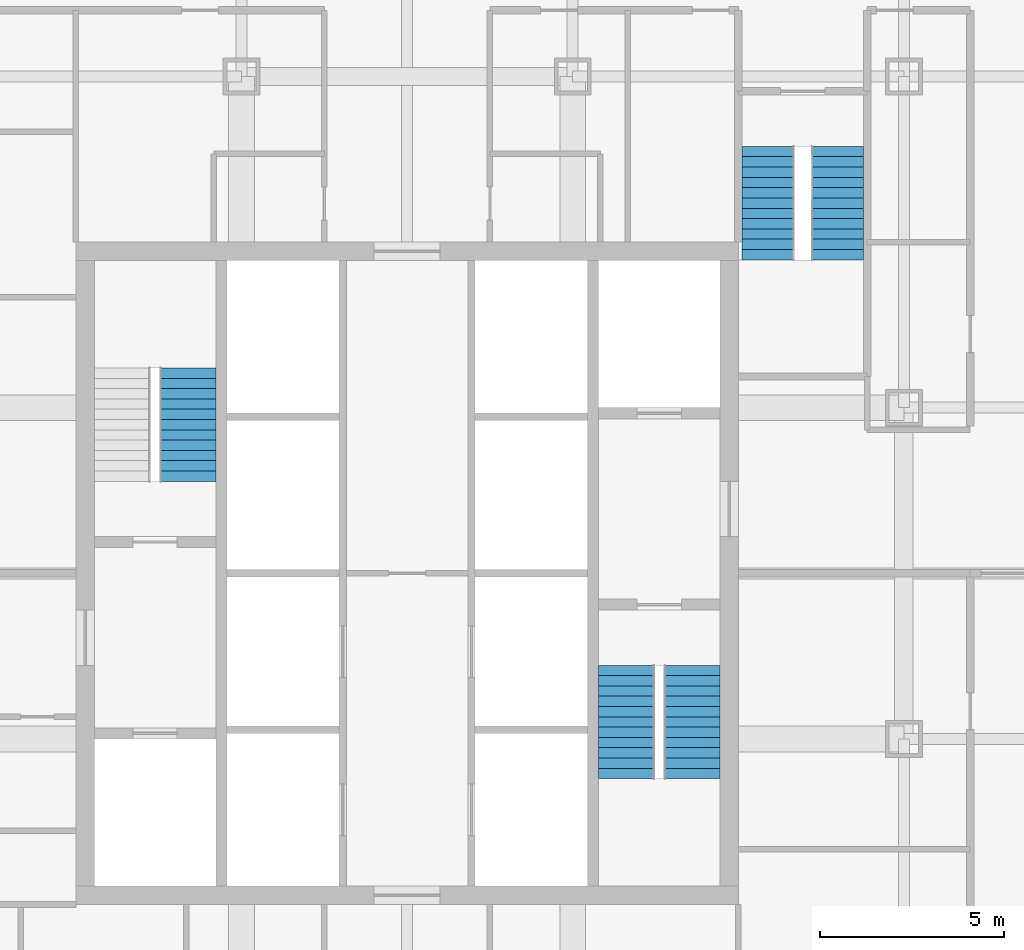
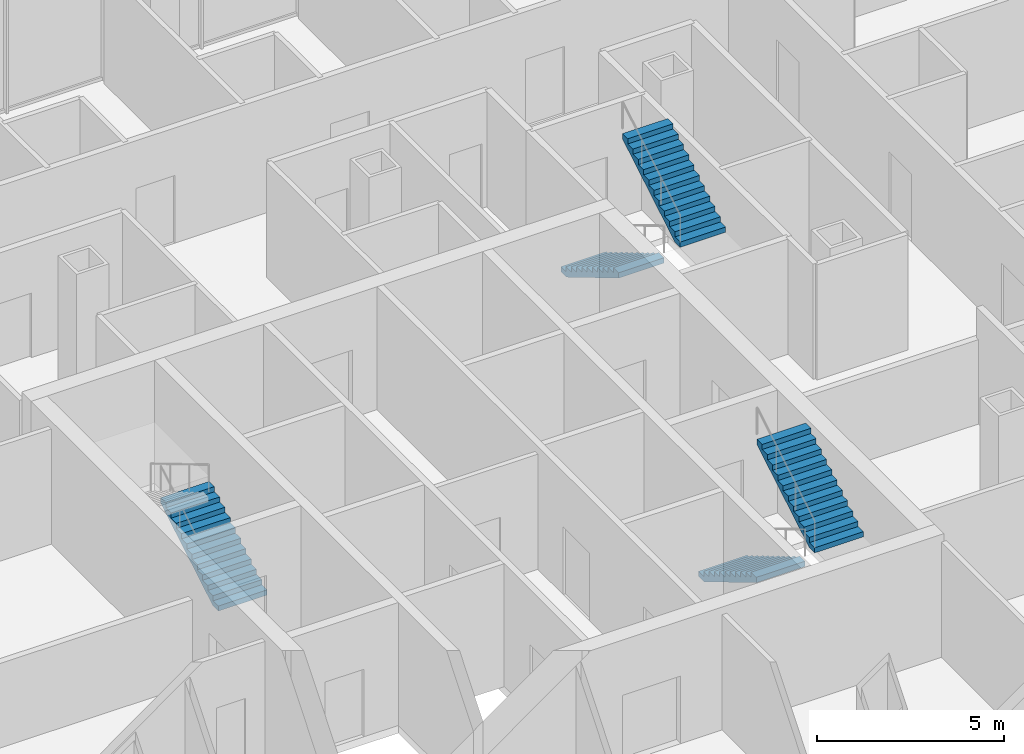
# One storey, part 12 of 14: 5 stair flights, 3 elements without a shape of their own.
"""IFC4 building model written with IfcOpenShell, lengths in metres."""

from ifc_helpers import new_model, si_unit, direction, frame, origin, place, context, subcontext, project, spatial, polyline, outline, extrude, material, type_object, element, aggregate, save


model = new_model("IFC4")

# Units and contexts
model_context = context("Model", 3, precision=1e-05, world=origin(), true_north=direction((0.0, 1.0)))
body_context = subcontext(model_context, "Body", "Model", "MODEL_VIEW")
ifc_project = project(units=[si_unit("LENGTHUNIT", "METRE"), si_unit("AREAUNIT", "SQUARE_METRE"), si_unit("VOLUMEUNIT", "CUBIC_METRE"), si_unit("PLANEANGLEUNIT", "RADIAN"), si_unit("MASSUNIT", "GRAM", prefix="KILO")], contexts=[model_context])

# Site, building, storey
site_placement = place(None, origin())
site = spatial("IfcSite", under=ifc_project, at=site_placement, CompositionType="ELEMENT")
building_placement = place(site_placement, origin())
building = spatial("IfcBuilding", under=site, at=building_placement, Name="Malebo Sky Hospital", CompositionType="ELEMENT")
storey_placement = place(building_placement, frame((0.0, 0.0, 71.0)))
storey = spatial("IfcBuildingStorey", under=building, at=storey_placement, Name="L16", CompositionType="ELEMENT", Elevation=71.0)

# Stair, stair flights
ifc_material = material(Name="Concrete C40/50", Category="concrete")
stair_type_1 = type_object("IfcStairType", Name="HALF-TURN STAIR 1400 R167", PredefinedType="HALF_TURN_STAIR", material=ifc_material)
stair_1_placement = place(storey_placement, origin())
stair_1 = element("IfcStair", 1, at=stair_1_placement, inside=storey, type_object=stair_type_1, Name="Stair S3 L16 type ST1B", PredefinedType="HALF_TURN_STAIR")
stair_flight_type_1 = type_object("IfcStairFlightType", Name="STAIR FLIGHT 1400 R167", PredefinedType="STRAIGHT", material=ifc_material)
stair_flight_1_placement = place(storey_placement, frame((69.800048828125, 73.60009765625, 0.0), z_axis=(0.0, 0.0, 1.0), x_axis=(0.0, -1.0, 0.0)))
stair_flight_1 = element("IfcStairFlight", 2, at=stair_flight_1_placement, type_object=stair_flight_type_1, Name="S3 flight 1 type SF1B", NumberOfRisers=12, NumberOfTreads=11, PredefinedType="STRAIGHT", RiserHeight=0.166666667, TreadLength=0.28, context=body_context, shape_type="SweptSolid", body=[
    extrude(outline(polyline([(0.0, 0.0), (0.0, 0.166748046875), (0.280029296875, 0.166748046875), (0.280029296875, 0.333251953125), (0.56005859375, 0.333251953125), (0.56005859375, 0.5), (0.840087890625, 0.5), (0.840087890625, 0.666748046875), (1.1201171875, 0.666748046875), (1.1201171875, 0.833251953125), (1.39990234375, 0.833251953125), (1.39990234375, 1.0), (1.679931640625, 1.0), (1.679931640625, 1.166748046875), (1.9599609375, 1.166748046875), (1.9599609375, 1.333251953125), (2.239990234375, 1.333251953125), (2.239990234375, 1.5), (2.52001953125, 1.5), (2.52001953125, 1.666748046875), (2.800048828125, 1.666748046875), (2.800048828125, 1.833251953125), (3.080078125, 1.833251953125), (3.080078125, 2.0), (3.080078125, 1.658935546875), (0.29296875, 0.0), (0.0, 0.0)])), frame((0.0, 0.699951171875, 0.0), z_axis=(0.0, -1.0, 0.0), x_axis=(1.0, 0.0, 0.0)), (0.0, 0.0, 1.0), 1.39990234375),
])
stair_flight_2_placement = place(storey_placement, frame((71.699951171875, 70.52001953125, 2.0), z_axis=(0.0, 0.0, 1.0), x_axis=(0.0, 1.0, 0.0)))
stair_flight_2 = element("IfcStairFlight", 3, at=stair_flight_2_placement, type_object=stair_flight_type_1, Name="S3 flight 2 type SF1B", NumberOfRisers=12, NumberOfTreads=11, PredefinedType="STRAIGHT", RiserHeight=0.166666667, TreadLength=0.28, context=body_context, shape_type="SweptSolid", body=[
    extrude(outline(polyline([(0.0, 0.0), (0.0, 0.166748046875), (0.280029296875, 0.166748046875), (0.280029296875, 0.333251953125), (0.56005859375, 0.333251953125), (0.56005859375, 0.5), (0.840087890625, 0.5), (0.840087890625, 0.666748046875), (1.1201171875, 0.666748046875), (1.1201171875, 0.833251953125), (1.39990234375, 0.833251953125), (1.39990234375, 1.0), (1.679931640625, 1.0), (1.679931640625, 1.166748046875), (1.9599609375, 1.166748046875), (1.9599609375, 1.333251953125), (2.239990234375, 1.333251953125), (2.239990234375, 1.5), (2.52001953125, 1.5), (2.52001953125, 1.666748046875), (2.800048828125, 1.666748046875), (2.800048828125, 1.833251953125), (3.080078125, 1.833251953125), (3.080078125, 2.0), (3.080078125, 1.658935546875), (0.29296875, 0.0), (0.0, 0.0)])), frame((0.0, 0.699951171875, 0.0), z_axis=(0.0, -1.0, 0.0), x_axis=(1.0, 0.0, 0.0)), (0.0, 0.0, 1.0), 1.39990234375),
])
aggregate(stair_1, [stair_flight_1, stair_flight_2])

# Stair, stair flight
stair_type_2 = type_object("IfcStairType", Name="HALF-TURN STAIR 1500 R167", PredefinedType="HALF_TURN_STAIR", material=ifc_material)
stair_2_placement = place(storey_placement, origin())
stair_2 = element("IfcStair", 4, at=stair_2_placement, inside=storey, type_object=stair_type_2, Name="Stair S1 L16 type ST1", PredefinedType="HALF_TURN_STAIR")
stair_flight_type_2 = type_object("IfcStairFlightType", Name="STAIR FLIGHT 1500 R167", PredefinedType="STRAIGHT", material=ifc_material)
stair_flight_3_placement = place(storey_placement, frame((54.050048828125, 64.5, 0.0), z_axis=(0.0, 0.0, 1.0), x_axis=(0.0, 1.0, 0.0)))
stair_flight_3 = element("IfcStairFlight", 5, at=stair_flight_3_placement, type_object=stair_flight_type_2, Name="S1 flight 1 type SF1", NumberOfRisers=12, NumberOfTreads=11, PredefinedType="STRAIGHT", RiserHeight=0.166666667, TreadLength=0.28, context=body_context, shape_type="SweptSolid", body=[
    extrude(outline(polyline([(0.0, 0.0), (0.0, 0.166748046875), (0.280029296875, 0.166748046875), (0.280029296875, 0.333251953125), (0.56005859375, 0.333251953125), (0.56005859375, 0.5), (0.840087890625, 0.5), (0.840087890625, 0.666748046875), (1.1201171875, 0.666748046875), (1.1201171875, 0.833251953125), (1.39990234375, 0.833251953125), (1.39990234375, 1.0), (1.679931640625, 1.0), (1.679931640625, 1.166748046875), (1.9599609375, 1.166748046875), (1.9599609375, 1.333251953125), (2.239990234375, 1.333251953125), (2.239990234375, 1.5), (2.52001953125, 1.5), (2.52001953125, 1.666748046875), (2.800048828125, 1.666748046875), (2.800048828125, 1.833251953125), (3.080078125, 1.833251953125), (3.080078125, 2.0), (3.080078125, 1.658935546875), (0.29296875, 0.0), (0.0, 0.0)])), frame((0.0, 0.75, 0.0), z_axis=(0.0, -1.0, 0.0), x_axis=(1.0, 0.0, 0.0)), (0.0, 0.0, 1.0), 1.5),
])
aggregate(stair_2, [stair_flight_3])

# Stair, stair flights
stair_3_placement = place(storey_placement, origin())
stair_3 = element("IfcStair", 6, at=stair_3_placement, inside=storey, type_object=stair_type_2, Name="Stair S2 L16 type ST1", PredefinedType="HALF_TURN_STAIR")
stair_flight_4_placement = place(storey_placement, frame((65.949951171875, 59.5, 0.0), z_axis=(0.0, 0.0, 1.0), x_axis=(0.0, -1.0, 0.0)))
stair_flight_4 = element("IfcStairFlight", 7, at=stair_flight_4_placement, type_object=stair_flight_type_2, Name="S2 flight 1 type SF1", NumberOfRisers=12, NumberOfTreads=11, PredefinedType="STRAIGHT", RiserHeight=0.166666667, TreadLength=0.28, context=body_context, shape_type="SweptSolid", body=[
    extrude(outline(polyline([(0.0, 0.0), (0.0, 0.166748046875), (0.280029296875, 0.166748046875), (0.280029296875, 0.333251953125), (0.56005859375, 0.333251953125), (0.56005859375, 0.5), (0.840087890625, 0.5), (0.840087890625, 0.666748046875), (1.1201171875, 0.666748046875), (1.1201171875, 0.833251953125), (1.39990234375, 0.833251953125), (1.39990234375, 1.0), (1.679931640625, 1.0), (1.679931640625, 1.166748046875), (1.9599609375, 1.166748046875), (1.9599609375, 1.333251953125), (2.239990234375, 1.333251953125), (2.239990234375, 1.5), (2.52001953125, 1.5), (2.52001953125, 1.666748046875), (2.800048828125, 1.666748046875), (2.800048828125, 1.833251953125), (3.080078125, 1.833251953125), (3.080078125, 2.0), (3.080078125, 1.658935546875), (0.29296875, 0.0), (0.0, 0.0)])), frame((0.0, 0.75, 0.0), z_axis=(0.0, -1.0, 0.0), x_axis=(1.0, 0.0, 0.0)), (0.0, 0.0, 1.0), 1.5),
])
stair_flight_5_placement = place(storey_placement, frame((67.75, 56.419921875, 2.0), z_axis=(0.0, 0.0, 1.0), x_axis=(0.0, 1.0, 0.0)))
stair_flight_5 = element("IfcStairFlight", 8, at=stair_flight_5_placement, type_object=stair_flight_type_2, Name="S2 flight 2 type SF1", NumberOfRisers=12, NumberOfTreads=11, PredefinedType="STRAIGHT", RiserHeight=0.166666667, TreadLength=0.28, context=body_context, shape_type="SweptSolid", body=[
    extrude(outline(polyline([(0.0, 0.0), (0.0, 0.166748046875), (0.280029296875, 0.166748046875), (0.280029296875, 0.333251953125), (0.56005859375, 0.333251953125), (0.56005859375, 0.5), (0.840087890625, 0.5), (0.840087890625, 0.666748046875), (1.1201171875, 0.666748046875), (1.1201171875, 0.833251953125), (1.39990234375, 0.833251953125), (1.39990234375, 1.0), (1.679931640625, 1.0), (1.679931640625, 1.166748046875), (1.9599609375, 1.166748046875), (1.9599609375, 1.333251953125), (2.239990234375, 1.333251953125), (2.239990234375, 1.5), (2.52001953125, 1.5), (2.52001953125, 1.666748046875), (2.800048828125, 1.666748046875), (2.800048828125, 1.833251953125), (3.080078125, 1.833251953125), (3.080078125, 2.0), (3.080078125, 1.658935546875), (0.29296875, 0.0), (0.0, 0.0)])), frame((0.0, 0.75, 0.0), z_axis=(0.0, -1.0, 0.0), x_axis=(1.0, 0.0, 0.0)), (0.0, 0.0, 1.0), 1.5),
])
aggregate(stair_3, [stair_flight_4, stair_flight_5])

save(model, "model.ifc")
